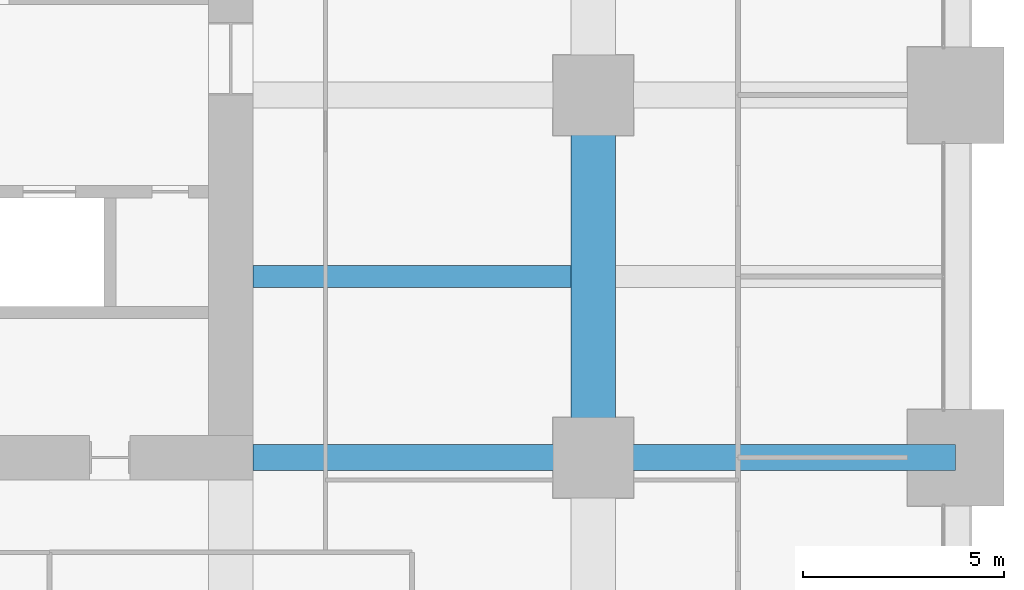
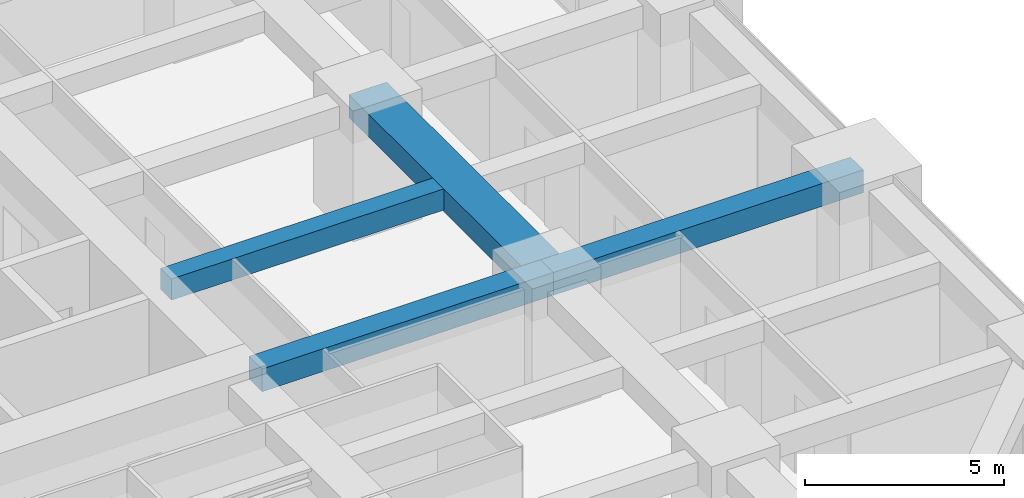
# One storey, part 20 of 41: 4 beams.
"""IFC4 building model written with IfcOpenShell, lengths in metres."""

from ifc_helpers import new_model, si_unit, direction, frame, origin, origin_2d, place, context, subcontext, project, spatial, rectangle, extrude, material, material_profile, profile_set, type_object, element, save


model = new_model("IFC4")

# Units and contexts
model_context = context("Model", 3, precision=1e-05, world=origin(), true_north=direction((0.0, 1.0)))
body_context = subcontext(model_context, "Body", "Model", "MODEL_VIEW")
ifc_project = project(units=[si_unit("LENGTHUNIT", "METRE"), si_unit("AREAUNIT", "SQUARE_METRE"), si_unit("VOLUMEUNIT", "CUBIC_METRE"), si_unit("PLANEANGLEUNIT", "RADIAN"), si_unit("MASSUNIT", "GRAM", prefix="KILO")], contexts=[model_context])

# Site, building, storey
site_placement = place(None, origin())
site = spatial("IfcSite", under=ifc_project, at=site_placement, CompositionType="ELEMENT")
building_placement = place(site_placement, origin())
building = spatial("IfcBuilding", under=site, at=building_placement, Name="Zorevar Civic Tower", CompositionType="ELEMENT")
storey_placement = place(building_placement, frame((0.0, 0.0, 113.0)))
storey = spatial("IfcBuildingStorey", under=building, at=storey_placement, Name="L27", CompositionType="ELEMENT", Elevation=113.0)

# Beams
ifc_material_1 = material(Name="Concrete C50/60", Category="concrete")
ifc_material_profile_1 = material_profile(ifc_material_1, rectangle(XDim=1.10009765625, YDim=0.699951171875, at=origin_2d()), Name="RC 1100x700")
ifc_profile_set_1 = profile_set([ifc_material_profile_1], Name="Concrete C50/60")
beam_type_1 = type_object("IfcBeamType", Name="Beam RC 1100x700", PredefinedType="BEAM", material=ifc_profile_set_1)
beam_1_placement = place(storey_placement, frame((54.0, 18.0, 3.39990234375), z_axis=(0.0, 1.0, 0.0), x_axis=(-1.0, 0.0, 0.0)))
element("IfcBeam", 1, at=beam_1_placement, inside=storey, type_object=beam_type_1, Name="Girder L28", PredefinedType="BEAM", context=body_context, shape_type="SweptSolid", body=[
    extrude(rectangle(XDim=1.10009765625, YDim=0.699951171875, at=origin_2d()), origin(), (0.0, 0.0, 1.0), 9.0),
])
ifc_material_2 = material(Name="Concrete C50/60", Category="concrete")
ifc_material_profile_2 = material_profile(ifc_material_2, rectangle(XDim=0.550048828125, YDim=0.64990234375, at=origin_2d()), Name="RC 550x650")
ifc_profile_set_2 = profile_set([ifc_material_profile_2], Name="Concrete C50/60")
beam_type_2 = type_object("IfcBeamType", Name="Beam RC 550x650", PredefinedType="BEAM", material=ifc_profile_set_2)
beam_2_placement = place(storey_placement, frame((45.550048828125, 22.5, 3.425048828125), z_axis=(1.0, 0.0, 0.0), x_axis=(0.0, 1.0, 0.0)))
element("IfcBeam", 2, at=beam_2_placement, inside=storey, type_object=beam_type_2, Name="Secondary beam L28", PredefinedType="BEAM", context=body_context, shape_type="SweptSolid", body=[
    extrude(rectangle(XDim=0.550048828125, YDim=0.64990234375, at=origin_2d()), origin(), (0.0, 0.0, 1.0), 7.89990234375),
])
ifc_material_3 = material(Name="Concrete C50/60", Category="concrete")
ifc_material_profile_3 = material_profile(ifc_material_3, rectangle(XDim=0.64990234375, YDim=0.699951171875, at=origin_2d()), Name="RC 650x700")
ifc_profile_set_3 = profile_set([ifc_material_profile_3], Name="Concrete C50/60")
beam_type_3 = type_object("IfcBeamType", Name="Beam RC 650x700", PredefinedType="BEAM", material=ifc_profile_set_3)
beam_3_placement = place(storey_placement, frame((45.550048828125, 18.0, 3.39990234375), z_axis=(1.0, 0.0, 0.0), x_axis=(0.0, 1.0, 0.0)))
element("IfcBeam", 3, at=beam_3_placement, inside=storey, type_object=beam_type_3, Name="Girder L28", PredefinedType="BEAM", context=body_context, shape_type="SweptSolid", body=[
    extrude(rectangle(XDim=0.64990234375, YDim=0.699951171875, at=origin_2d()), origin(), (0.0, 0.0, 1.0), 8.449951171875),
])
beam_4_placement = place(storey_placement, frame((54.0, 18.0, 3.39990234375), z_axis=(1.0, 0.0, 0.0), x_axis=(0.0, 1.0, 0.0)))
element("IfcBeam", 4, at=beam_4_placement, inside=storey, type_object=beam_type_3, Name="Girder L28", PredefinedType="BEAM", context=body_context, shape_type="SweptSolid", body=[
    extrude(rectangle(XDim=0.64990234375, YDim=0.699951171875, at=origin_2d()), origin(), (0.0, 0.0, 1.0), 9.0),
])

save(model, "model.ifc")
